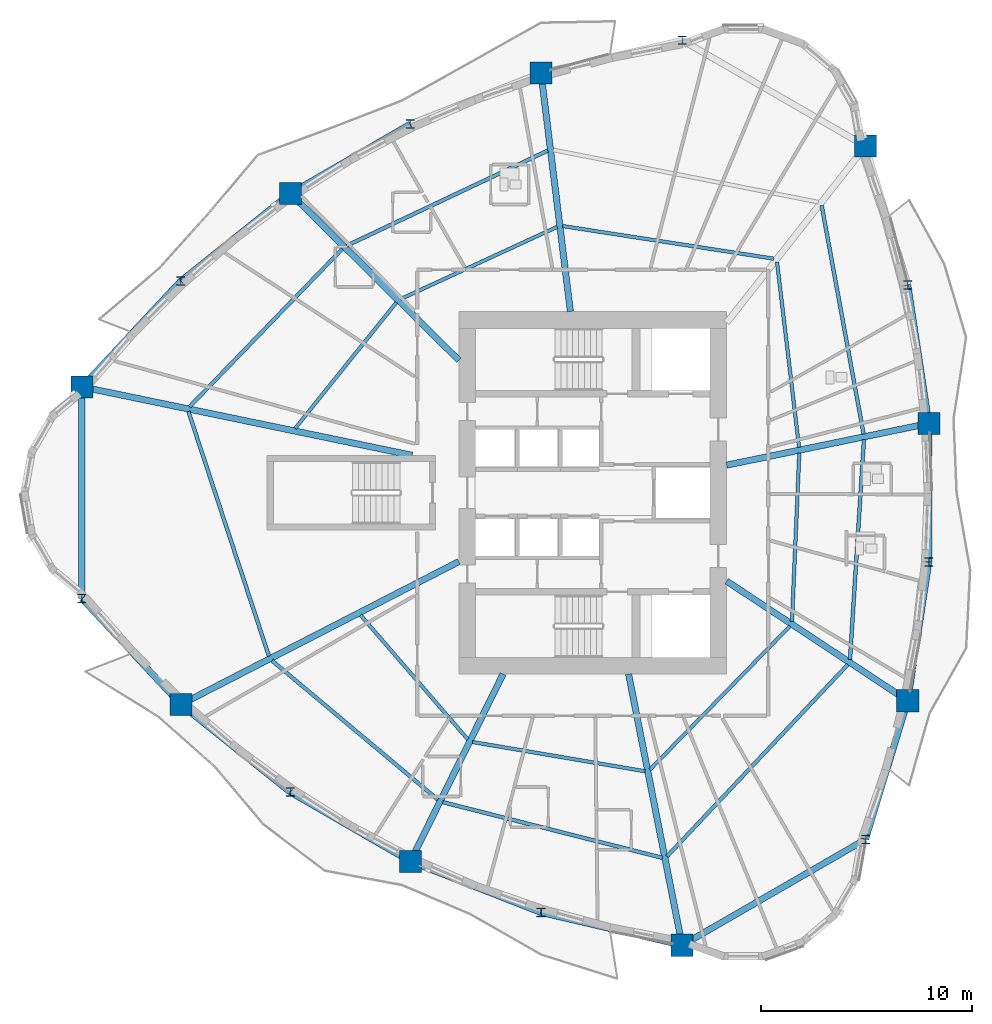
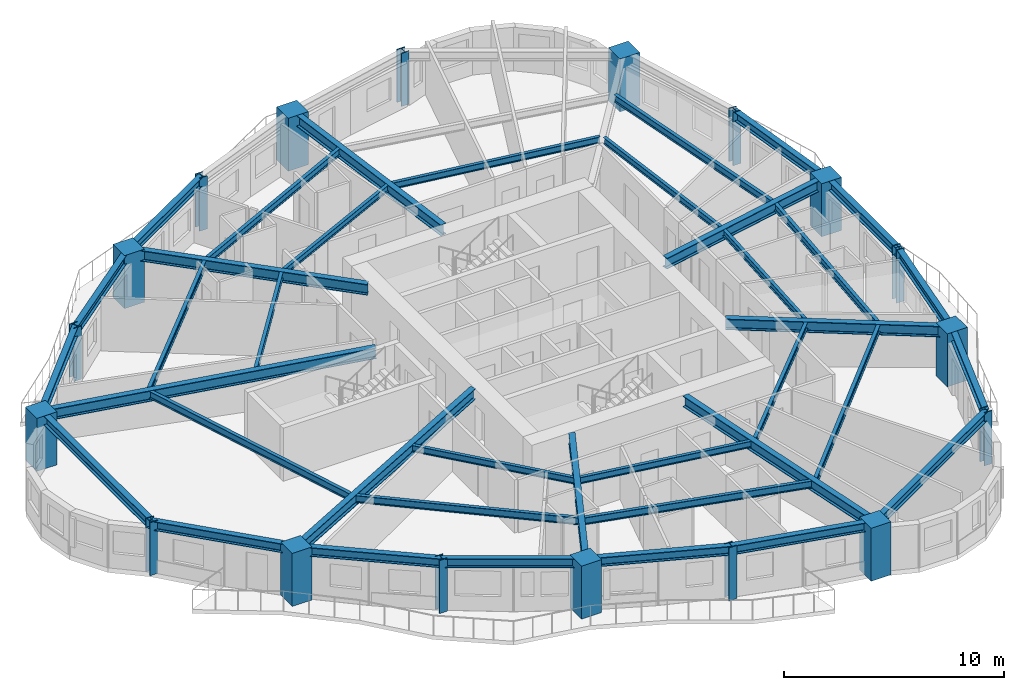
# One storey, part 1 of 13: 38 beams, 18 columns.
"""IFC4 building model written with IfcOpenShell, lengths in metres."""

from ifc_helpers import new_model, si_unit, direction, frame, origin, origin_2d, place, context, subcontext, project, spatial, rectangle, i_section, extrude, source, transform, mapped, material, material_profile, profile_set, type_object, element, save


model = new_model("IFC4")

# Units and contexts
model_context = context("Model", 3, precision=1e-05, world=origin(), true_north=direction((0.0, 1.0)))
body_context = subcontext(model_context, "Body", "Model", "MODEL_VIEW")
ifc_project = project(units=[si_unit("LENGTHUNIT", "METRE"), si_unit("AREAUNIT", "SQUARE_METRE"), si_unit("VOLUMEUNIT", "CUBIC_METRE"), si_unit("PLANEANGLEUNIT", "RADIAN"), si_unit("MASSUNIT", "GRAM", prefix="KILO")], contexts=[model_context])

# Site, building, storey
site_placement = place(None, origin())
site = spatial("IfcSite", under=ifc_project, at=site_placement, CompositionType="ELEMENT")
building_placement = place(site_placement, origin())
building = spatial("IfcBuilding", under=site, at=building_placement, Name="Qafzar Sky-Pleat Residences", CompositionType="ELEMENT")
storey_placement = place(building_placement, frame((0.0, 0.0, 49.39990234375)))
storey = spatial("IfcBuildingStorey", under=building, at=storey_placement, Name="L14", CompositionType="ELEMENT", Elevation=49.39990234375)

# Columns
ifc_material_1 = material(Name="Concrete C60/75", Category="concrete")
ifc_material_profile_1 = material_profile(ifc_material_1, rectangle(XDim=1.050048828125, YDim=1.050048828125, at=origin_2d()), Name="RC 1050x1050")
ifc_profile_set_1 = profile_set([ifc_material_profile_1], Name="Concrete C60/75")
column_type_1 = type_object("IfcColumnType", Name="COL-RC-1050", PredefinedType="COLUMN", material=ifc_profile_set_1)
shared_shape_1 = source(origin(), body_context, "Body", "SweptSolid", [
    extrude(rectangle(XDim=1.050048828125, YDim=1.050048828125, at=origin_2d()), origin(), (0.0, 0.0, 1.0), 2.940185546875),
])
for number, where, z_axis, x_axis, name in (
    (1, (6.1201171875, 31.02294921875, 0.0), (0.0, 0.0, 1.0), (1.0, 0.0, 0.0), "L14 Perimeter Mega Column 1"),
    (2, (10.814697265625, 15.95849609375, 0.0), (0.0, 0.0, 1.0), (1.0, 0.0, 0.0), "L14 Perimeter Mega Column 3"),
    (3, (21.702880859375, 8.518310546875, 0.0), (0.0, 0.0, 1.0), (1.0, 0.0, 0.0), "L14 Perimeter Mega Column 5"),
    (4, (34.590087890625, 4.539794921875, 0.0), (0.0, 0.0, 1.0), (1.0, 0.0, 0.0), "L14 Perimeter Mega Column 7"),
    (5, (45.288818359375, 16.1376953125, 0.0), (0.0, 0.0, 1.0), (1.0, 0.0, 0.0), "L14 Perimeter Mega Column 9"),
    (6, (46.2880859375, 29.287353515625, 0.0), (0.0, 0.0, 1.0), (1.0, 0.0, 0.0), "L14 Perimeter Mega Column 11"),
    (7, (43.2900390625, 42.437255859375, 0.0), (0.0, 0.0, 1.0), (1.0, 0.0, 0.0), "L14 Perimeter Mega Column 13"),
    (8, (27.896484375, 45.90380859375, 0.0), (0.0, 0.0, 1.0), (1.0, 0.0, 0.0), "L14 Perimeter Mega Column 15"),
    (9, (16.0087890625, 40.1943359375, 0.0), (0.0, 0.0, 1.0), (1.0, 0.0, 0.0), "L14 Perimeter Mega Column 17"),
):
    element("IfcColumn", number, at=place(storey_placement, frame(where, z_axis=z_axis, x_axis=x_axis)), inside=storey, type_object=column_type_1, Name=name, PredefinedType="COLUMN", context=body_context, shape_type="MappedRepresentation", body=[
        mapped(shared_shape_1, transform((0.0, 0.0, 0.0), x_axis=(1.0, 0.0, 0.0), y_axis=(0.0, 1.0, 0.0), z_axis=(0.0, 0.0, 1.0), scale=1.0)),
    ])
ifc_material_2 = material(Name="Steel S460", Category="steel")
ifc_material_profile_2 = material_profile(ifc_material_2, i_section(OverallWidth=0.408935546875, OverallDepth=0.425048828125, WebThickness=0.030029296875, FlangeThickness=0.048095703125, FilletRadius=0.014892578125, at=origin_2d()), Name="HD 400x421")
ifc_profile_set_2 = profile_set([ifc_material_profile_2], Name="Steel S460")
column_type_2 = type_object("IfcColumnType", Name="COL-STL-HD421", PredefinedType="PILASTER", material=ifc_profile_set_2)
shared_shape_2 = source(origin(), body_context, "Body", "SweptSolid", [
    extrude(i_section(OverallWidth=0.408935546875, OverallDepth=0.425048828125, WebThickness=0.030029296875, FlangeThickness=0.048095703125, FilletRadius=0.014892578125, at=origin_2d()), origin(), (0.0, 0.0, 1.0), 2.940185546875),
])
for number, where, z_axis, x_axis, name in (
    (10, (6.1201171875, 20.97705078125, 0.0), (0.0, 0.0, 1.0), (1.0, 0.0, 0.0), "L14 Perimeter Mega Column 2"),
    (11, (16.0087890625, 11.8056640625, 0.0), (0.0, 0.0, 1.0), (1.0, 0.0, 0.0), "L14 Perimeter Mega Column 4"),
    (12, (27.896484375, 6.09619140625, 0.0), (0.0, 0.0, 1.0), (1.0, 0.0, 0.0), "L14 Perimeter Mega Column 6"),
    (13, (43.2900390625, 9.562744140625, 0.0), (0.0, 0.0, 1.0), (1.0, 0.0, 0.0), "L14 Perimeter Mega Column 8"),
    (14, (46.2880859375, 22.712646484375, 0.0), (0.0, 0.0, 1.0), (1.0, 0.0, 0.0), "L14 Perimeter Mega Column 10"),
    (15, (45.288818359375, 35.8623046875, 0.0), (0.0, 0.0, 1.0), (1.0, 0.0, 0.0), "L14 Perimeter Mega Column 12"),
    (16, (34.590087890625, 47.460205078125, 0.0), (0.0, 0.0, 1.0), (1.0, 0.0, 0.0), "L14 Perimeter Mega Column 14"),
    (17, (21.702880859375, 43.481689453125, 0.0), (0.0, 0.0, 1.0), (1.0, 0.0, 0.0), "L14 Perimeter Mega Column 16"),
    (18, (10.814697265625, 36.04150390625, 0.0), (0.0, 0.0, 1.0), (1.0, 0.0, 0.0), "L14 Perimeter Mega Column 18"),
):
    element("IfcColumn", number, at=place(storey_placement, frame(where, z_axis=z_axis, x_axis=x_axis)), inside=storey, type_object=column_type_2, Name=name, PredefinedType="PILASTER", context=body_context, shape_type="MappedRepresentation", body=[
        mapped(shared_shape_2, transform((0.0, 0.0, 0.0), x_axis=(1.0, 0.0, 0.0), y_axis=(0.0, 1.0, 0.0), z_axis=(0.0, 0.0, 1.0), scale=1.0)),
    ])

# Beams
ifc_material_3 = material(Name="Steel S355", Category="steel")
ifc_material_profile_3 = material_profile(ifc_material_3, i_section(OverallWidth=0.300048828125, OverallDepth=0.5, WebThickness=0.014404296875, FlangeThickness=0.028076171875, FilletRadius=0.027099609375, at=origin_2d()), Name="HEB 500")
ifc_profile_set_3 = profile_set([ifc_material_profile_3], Name="Steel S355")
beam_type_1 = type_object("IfcBeamType", Name="BM-SPAN-HEB500", PredefinedType="SPANDREL", material=ifc_profile_set_3)
shared_shape_3 = source(origin(), body_context, "Body", "SweptSolid", [
    extrude(i_section(OverallWidth=0.300048828125, OverallDepth=0.5, WebThickness=0.014404296875, FlangeThickness=0.028076171875, FilletRadius=0.027099609375, at=origin_2d()), origin(), (0.0, 0.0, 1.0), 10.0458984375),
])
for number, where, z_axis, x_axis, name in (
    (19, (6.1201171875, 31.02294921875, 2.68798828125), (0.0, -1.0, 0.0), (1.0, 0.0, 0.0), "L14 Perimeter Spandrel Beam 1"),
    (20, (34.590087890625, 4.539794921875, 2.68798828125), (0.866024107753, 0.500002244785, 0.0), (-0.500002244785, 0.866024107753, 0.0), "L14 Perimeter Spandrel Beam 7"),
):
    element("IfcBeam", number, at=place(storey_placement, frame(where, z_axis=z_axis, x_axis=x_axis)), inside=storey, type_object=beam_type_1, Name=name, PredefinedType="SPANDREL", context=body_context, shape_type="MappedRepresentation", body=[
        mapped(shared_shape_3, transform((0.0, 0.0, 0.0), x_axis=(1.0, 0.0, 0.0), y_axis=(0.0, 1.0, 0.0), z_axis=(0.0, 0.0, 1.0), scale=1.0)),
    ])
shared_shape_4 = source(origin(), body_context, "Body", "SweptSolid", [
    extrude(i_section(OverallWidth=0.300048828125, OverallDepth=0.5, WebThickness=0.014404296875, FlangeThickness=0.028076171875, FilletRadius=0.027099609375, at=origin_2d()), origin(), (0.0, 0.0, 1.0), 6.8720703125),
])
for number, where, z_axis, x_axis, name in (
    (21, (6.1201171875, 20.97705078125, 2.68798828125), (0.683141849409, -0.73028570682, 0.0), (0.73028570682, 0.683141849409, 0.0), "L14 Perimeter Spandrel Beam 2"),
    (22, (27.896484375, 6.09619140625, 2.68798828125), (0.974016228914, -0.226478223705, 0.0), (0.226478223705, 0.974016228914, 0.0), "L14 Perimeter Spandrel Beam 6"),
    (23, (43.2900390625, 9.562744140625, 2.68798828125), (0.290856244324, 0.956766766322, 0.0), (-0.956766766322, 0.290856244324, 0.0), "L14 Perimeter Spandrel Beam 8"),
    (24, (10.814697265625, 36.04150390625, 2.68798828125), (-0.683141849409, -0.73028570682, 0.0), (0.73028570682, -0.683141849409, 0.0), "L14 Perimeter Spandrel Beam 18"),
):
    element("IfcBeam", number, at=place(storey_placement, frame(where, z_axis=z_axis, x_axis=x_axis)), inside=storey, type_object=beam_type_1, Name=name, PredefinedType="SPANDREL", context=body_context, shape_type="MappedRepresentation", body=[
        mapped(shared_shape_4, transform((0.0, 0.0, 0.0), x_axis=(1.0, 0.0, 0.0), y_axis=(0.0, 1.0, 0.0), z_axis=(0.0, 0.0, 1.0), scale=1.0)),
    ])
shared_shape_5 = source(origin(), body_context, "Body", "SweptSolid", [
    extrude(i_section(OverallWidth=0.300048828125, OverallDepth=0.5, WebThickness=0.014404296875, FlangeThickness=0.028076171875, FilletRadius=0.027099609375, at=origin_2d()), origin(), (0.0, 0.0, 1.0), 6.650146484375),
])
for number, where, z_axis, x_axis, name in (
    (25, (10.814697265625, 15.95849609375, 2.68798828125), (0.781047860297, -0.62447116821, 0.0), (0.62447116821, 0.781047860297, 0.0), "L14 Perimeter Spandrel Beam 3"),
    (26, (16.0087890625, 40.1943359375, 2.68798828125), (-0.781047860297, -0.62447116821, 0.0), (0.62447116821, -0.781047860297, 0.0), "L14 Perimeter Spandrel Beam 17"),
):
    element("IfcBeam", number, at=place(storey_placement, frame(where, z_axis=z_axis, x_axis=x_axis)), inside=storey, type_object=beam_type_1, Name=name, PredefinedType="SPANDREL", context=body_context, shape_type="MappedRepresentation", body=[
        mapped(shared_shape_5, transform((0.0, 0.0, 0.0), x_axis=(1.0, 0.0, 0.0), y_axis=(0.0, 1.0, 0.0), z_axis=(0.0, 0.0, 1.0), scale=1.0)),
    ])
shared_shape_6 = source(origin(), body_context, "Body", "SweptSolid", [
    extrude(i_section(OverallWidth=0.300048828125, OverallDepth=0.5, WebThickness=0.014404296875, FlangeThickness=0.028076171875, FilletRadius=0.027099609375, at=origin_2d()), origin(), (0.0, 0.0, 1.0), 6.574951171875),
])
for number, where, z_axis, x_axis, name in (
    (27, (16.0087890625, 11.8056640625, 2.68798828125), (0.866034091436, -0.499984952244, 0.0), (0.499984952244, 0.866034091436, 0.0), "L14 Perimeter Spandrel Beam 4"),
    (28, (21.702880859375, 43.481689453125, 2.68798828125), (-0.866034091436, -0.499984952244, 0.0), (0.499984952244, -0.866034091436, 0.0), "L14 Perimeter Spandrel Beam 16"),
):
    element("IfcBeam", number, at=place(storey_placement, frame(where, z_axis=z_axis, x_axis=x_axis)), inside=storey, type_object=beam_type_1, Name=name, PredefinedType="SPANDREL", context=body_context, shape_type="MappedRepresentation", body=[
        mapped(shared_shape_6, transform((0.0, 0.0, 0.0), x_axis=(1.0, 0.0, 0.0), y_axis=(0.0, 1.0, 0.0), z_axis=(0.0, 0.0, 1.0), scale=1.0)),
    ])
shared_shape_7 = source(origin(), body_context, "Body", "SweptSolid", [
    extrude(i_section(OverallWidth=0.300048828125, OverallDepth=0.5, WebThickness=0.014404296875, FlangeThickness=0.028076171875, FilletRadius=0.027099609375, at=origin_2d()), origin(), (0.0, 0.0, 1.0), 6.650390625),
])
for number, where, z_axis, x_axis, name in (
    (29, (21.702880859375, 8.518310546875, 2.68798828125), (0.931317505809, -0.364208324141, 0.0), (0.364208324141, 0.931317505809, 0.0), "L14 Perimeter Spandrel Beam 5"),
    (30, (45.288818359375, 16.1376953125, 2.68798828125), (0.150255576809, 0.988647187645, 0.0), (-0.988647187645, 0.150255576809, 0.0), "L14 Perimeter Spandrel Beam 9"),
    (31, (46.2880859375, 29.287353515625, 2.68798828125), (-0.150255576809, 0.988647187645, 0.0), (-0.988647187645, -0.150255576809, 0.0), "L14 Perimeter Spandrel Beam 11"),
):
    element("IfcBeam", number, at=place(storey_placement, frame(where, z_axis=z_axis, x_axis=x_axis)), inside=storey, type_object=beam_type_1, Name=name, PredefinedType="SPANDREL", context=body_context, shape_type="MappedRepresentation", body=[
        mapped(shared_shape_7, transform((0.0, 0.0, 0.0), x_axis=(1.0, 0.0, 0.0), y_axis=(0.0, 1.0, 0.0), z_axis=(0.0, 0.0, 1.0), scale=1.0)),
    ])
shared_shape_8 = source(origin(), body_context, "Body", "SweptSolid", [
    extrude(i_section(OverallWidth=0.300048828125, OverallDepth=0.5, WebThickness=0.014404296875, FlangeThickness=0.028076171875, FilletRadius=0.027099609375, at=origin_2d()), origin(), (0.0, 0.0, 1.0), 6.57470703125),
])
beam_1_placement = place(storey_placement, frame((46.2880859375, 22.712646484375, 2.68798828125), z_axis=(0.0, 1.0, 0.0), x_axis=(-1.0, 0.0, 0.0)))
element("IfcBeam", 32, at=beam_1_placement, inside=storey, type_object=beam_type_1, Name="L14 Perimeter Spandrel Beam 10", PredefinedType="SPANDREL", context=body_context, shape_type="MappedRepresentation", body=[
    mapped(shared_shape_8, transform((0.0, 0.0, 0.0), x_axis=(1.0, 0.0, 0.0), y_axis=(0.0, 1.0, 0.0), z_axis=(0.0, 0.0, 1.0), scale=1.0)),
])
ifc_material_profile_4 = material_profile(ifc_material_3, i_section(OverallWidth=0.300048828125, OverallDepth=0.60009765625, WebThickness=0.015380859375, FlangeThickness=0.030029296875, FilletRadius=0.027099609375, at=origin_2d()), Name="HEB 600")
ifc_profile_set_4 = profile_set([ifc_material_profile_4], Name="Steel S355")
beam_type_2 = type_object("IfcBeamType", Name="BM-GIRD-HEB600", PredefinedType="BEAM", material=ifc_profile_set_4)
shared_shape_9 = source(origin(), body_context, "Body", "SweptSolid", [
    extrude(i_section(OverallWidth=0.300048828125, OverallDepth=0.60009765625, WebThickness=0.015380859375, FlangeThickness=0.030029296875, FilletRadius=0.027099609375, at=origin_2d()), origin(), (0.0, 0.0, 1.0), 16.000732421875),
])
beam_2_placement = place(storey_placement, frame((6.1201171875, 31.02294921875, 2.63818359375), z_axis=(0.97917975369, -0.202995098375, 0.0), x_axis=(0.202995098375, 0.97917975369, 0.0)))
element("IfcBeam", 33, at=beam_2_placement, inside=storey, type_object=beam_type_2, Name="L14 Radial Floor Girder 1", PredefinedType="BEAM", context=body_context, shape_type="MappedRepresentation", body=[
    mapped(shared_shape_9, transform((0.0, 0.0, 0.0), x_axis=(1.0, 0.0, 0.0), y_axis=(0.0, 1.0, 0.0), z_axis=(0.0, 0.0, 1.0), scale=1.0)),
])
shared_shape_10 = source(origin(), body_context, "Body", "SweptSolid", [
    extrude(i_section(OverallWidth=0.300048828125, OverallDepth=0.60009765625, WebThickness=0.015380859375, FlangeThickness=0.030029296875, FilletRadius=0.027099609375, at=origin_2d()), origin(), (0.0, 0.0, 1.0), 14.8251953125),
])
beam_3_placement = place(storey_placement, frame((10.814697265625, 15.95849609375, 2.63818359375), z_axis=(0.889381743059, 0.457165303925, 0.0), x_axis=(-0.457165303925, 0.889381743059, 0.0)))
element("IfcBeam", 34, at=beam_3_placement, inside=storey, type_object=beam_type_2, Name="L14 Radial Floor Girder 3", PredefinedType="BEAM", context=body_context, shape_type="MappedRepresentation", body=[
    mapped(shared_shape_10, transform((0.0, 0.0, 0.0), x_axis=(1.0, 0.0, 0.0), y_axis=(0.0, 1.0, 0.0), z_axis=(0.0, 0.0, 1.0), scale=1.0)),
])
shared_shape_11 = source(origin(), body_context, "Body", "SweptSolid", [
    extrude(i_section(OverallWidth=0.300048828125, OverallDepth=0.60009765625, WebThickness=0.015380859375, FlangeThickness=0.030029296875, FilletRadius=0.027099609375, at=origin_2d()), origin(), (0.0, 0.0, 1.0), 9.90869140625),
])
beam_4_placement = place(storey_placement, frame((21.702880859375, 8.518310546875, 2.63818359375), z_axis=(0.443375685827, 0.896335875226, 0.0), x_axis=(-0.896335875226, 0.443375685827, 0.0)))
element("IfcBeam", 35, at=beam_4_placement, inside=storey, type_object=beam_type_2, Name="L14 Radial Floor Girder 5", PredefinedType="BEAM", context=body_context, shape_type="MappedRepresentation", body=[
    mapped(shared_shape_11, transform((0.0, 0.0, 0.0), x_axis=(1.0, 0.0, 0.0), y_axis=(0.0, 1.0, 0.0), z_axis=(0.0, 0.0, 1.0), scale=1.0)),
])
shared_shape_12 = source(origin(), body_context, "Body", "SweptSolid", [
    extrude(i_section(OverallWidth=0.300048828125, OverallDepth=0.60009765625, WebThickness=0.015380859375, FlangeThickness=0.030029296875, FilletRadius=0.027099609375, at=origin_2d()), origin(), (0.0, 0.0, 1.0), 13.108642578125),
])
beam_5_placement = place(storey_placement, frame((34.590087890625, 4.539794921875, 2.63818359375), z_axis=(-0.193823374402, 0.981036441492, 0.0), x_axis=(-0.981036441492, -0.193823374402, 0.0)))
element("IfcBeam", 36, at=beam_5_placement, inside=storey, type_object=beam_type_2, Name="L14 Radial Floor Girder 7", PredefinedType="BEAM", context=body_context, shape_type="MappedRepresentation", body=[
    mapped(shared_shape_12, transform((0.0, 0.0, 0.0), x_axis=(1.0, 0.0, 0.0), y_axis=(0.0, 1.0, 0.0), z_axis=(0.0, 0.0, 1.0), scale=1.0)),
])
shared_shape_13 = source(origin(), body_context, "Body", "SweptSolid", [
    extrude(i_section(OverallWidth=0.300048828125, OverallDepth=0.60009765625, WebThickness=0.015380859375, FlangeThickness=0.030029296875, FilletRadius=0.027099609375, at=origin_2d()), origin(), (0.0, 0.0, 1.0), 10.291748046875),
])
beam_6_placement = place(storey_placement, frame((45.288818359375, 16.1376953125, 2.63818359375), z_axis=(-0.834541783503, 0.550944653833, 0.0), x_axis=(-0.550944653833, -0.834541783503, 0.0)))
element("IfcBeam", 37, at=beam_6_placement, inside=storey, type_object=beam_type_2, Name="L14 Radial Floor Girder 9", PredefinedType="BEAM", context=body_context, shape_type="MappedRepresentation", body=[
    mapped(shared_shape_13, transform((0.0, 0.0, 0.0), x_axis=(1.0, 0.0, 0.0), y_axis=(0.0, 1.0, 0.0), z_axis=(0.0, 0.0, 1.0), scale=1.0)),
])
shared_shape_14 = source(origin(), body_context, "Body", "SweptSolid", [
    extrude(i_section(OverallWidth=0.300048828125, OverallDepth=0.60009765625, WebThickness=0.015380859375, FlangeThickness=0.030029296875, FilletRadius=0.027099609375, at=origin_2d()), origin(), (0.0, 0.0, 1.0), 9.7900390625),
])
beam_7_placement = place(storey_placement, frame((46.2880859375, 29.287353515625, 2.63818359375), z_axis=(-0.979386142627, -0.20199698916, 0.0), x_axis=(0.20199698916, -0.979386142627, 0.0)))
element("IfcBeam", 38, at=beam_7_placement, inside=storey, type_object=beam_type_2, Name="L14 Radial Floor Girder 11", PredefinedType="BEAM", context=body_context, shape_type="MappedRepresentation", body=[
    mapped(shared_shape_14, transform((0.0, 0.0, 0.0), x_axis=(1.0, 0.0, 0.0), y_axis=(0.0, 1.0, 0.0), z_axis=(0.0, 0.0, 1.0), scale=1.0)),
])
shared_shape_15 = source(origin(), body_context, "Body", "SweptSolid", [
    extrude(i_section(OverallWidth=0.300048828125, OverallDepth=0.60009765625, WebThickness=0.015380859375, FlangeThickness=0.030029296875, FilletRadius=0.027099609375, at=origin_2d()), origin(), (0.0, 0.0, 1.0), 11.38916015625),
])
beam_8_placement = place(storey_placement, frame((27.896484375, 45.90380859375, 2.63818359375), z_axis=(0.122335498992, -0.992488803809, 0.0), x_axis=(0.992488803809, 0.122335498992, 0.0)))
element("IfcBeam", 39, at=beam_8_placement, inside=storey, type_object=beam_type_2, Name="L14 Radial Floor Girder 15", PredefinedType="BEAM", context=body_context, shape_type="MappedRepresentation", body=[
    mapped(shared_shape_15, transform((0.0, 0.0, 0.0), x_axis=(1.0, 0.0, 0.0), y_axis=(0.0, 1.0, 0.0), z_axis=(0.0, 0.0, 1.0), scale=1.0)),
])
shared_shape_16 = source(origin(), body_context, "Body", "SweptSolid", [
    extrude(i_section(OverallWidth=0.300048828125, OverallDepth=0.60009765625, WebThickness=0.015380859375, FlangeThickness=0.030029296875, FilletRadius=0.027099609375, at=origin_2d()), origin(), (0.0, 0.0, 1.0), 11.24365234375),
])
beam_9_placement = place(storey_placement, frame((16.0087890625, 40.1943359375, 2.63818359375), z_axis=(0.710734480611, -0.703460374201, 0.0), x_axis=(0.703460374201, 0.710734480611, 0.0)))
element("IfcBeam", 40, at=beam_9_placement, inside=storey, type_object=beam_type_2, Name="L14 Radial Floor Girder 17", PredefinedType="BEAM", context=body_context, shape_type="MappedRepresentation", body=[
    mapped(shared_shape_16, transform((0.0, 0.0, 0.0), x_axis=(1.0, 0.0, 0.0), y_axis=(0.0, 1.0, 0.0), z_axis=(0.0, 0.0, 1.0), scale=1.0)),
])
ifc_material_profile_5 = material_profile(ifc_material_3, i_section(OverallWidth=0.179931640625, OverallDepth=0.39990234375, WebThickness=0.008544921875, FlangeThickness=0.013427734375, FilletRadius=0.02099609375, at=origin_2d()), Name="IPE 400")
ifc_profile_set_5 = profile_set([ifc_material_profile_5], Name="Steel S355")
beam_type_3 = type_object("IfcBeamType", Name="BM-JST-IPE400", PredefinedType="JOIST", material=ifc_profile_set_5)
shared_shape_17 = source(origin(), body_context, "Body", "SweptSolid", [
    extrude(i_section(OverallWidth=0.179931640625, OverallDepth=0.39990234375, WebThickness=0.008544921875, FlangeThickness=0.013427734375, FilletRadius=0.02099609375, at=origin_2d()), origin(), (0.0, 0.0, 1.0), 12.211181640625),
])
beam_10_placement = place(storey_placement, frame((11.17578125, 29.855224609375, 2.738037109375), z_axis=(0.312494579361, -0.94991954284, 0.0), x_axis=(0.94991954284, 0.312494579361, 0.0)))
element("IfcBeam", 41, at=beam_10_placement, inside=storey, type_object=beam_type_3, Name="L14 Outer Secondary Floor Joist 1", PredefinedType="JOIST", context=body_context, shape_type="MappedRepresentation", body=[
    mapped(shared_shape_17, transform((0.0, 0.0, 0.0), x_axis=(1.0, 0.0, 0.0), y_axis=(0.0, 1.0, 0.0), z_axis=(0.0, 0.0, 1.0), scale=1.0)),
])
shared_shape_18 = source(origin(), body_context, "Body", "SweptSolid", [
    extrude(i_section(OverallWidth=0.179931640625, OverallDepth=0.39990234375, WebThickness=0.008544921875, FlangeThickness=0.013427734375, FilletRadius=0.02099609375, at=origin_2d()), origin(), (0.0, 0.0, 1.0), 10.265380859375),
])
beam_11_placement = place(storey_placement, frame((15.137451171875, 18.040771484375, 2.738037109375), z_axis=(0.766450230396, -0.642303701006, 0.0), x_axis=(0.642303701006, 0.766450230396, 0.0)))
element("IfcBeam", 42, at=beam_11_placement, inside=storey, type_object=beam_type_3, Name="L14 Outer Secondary Floor Joist 2", PredefinedType="JOIST", context=body_context, shape_type="MappedRepresentation", body=[
    mapped(shared_shape_18, transform((0.0, 0.0, 0.0), x_axis=(1.0, 0.0, 0.0), y_axis=(0.0, 1.0, 0.0), z_axis=(0.0, 0.0, 1.0), scale=1.0)),
])
shared_shape_19 = source(origin(), body_context, "Body", "SweptSolid", [
    extrude(i_section(OverallWidth=0.179931640625, OverallDepth=0.39990234375, WebThickness=0.008544921875, FlangeThickness=0.013427734375, FilletRadius=0.02099609375, at=origin_2d()), origin(), (0.0, 0.0, 1.0), 10.73583984375),
])
beam_12_placement = place(storey_placement, frame((23.239501953125, 11.327392578125, 2.738037109375), z_axis=(0.969314247792, -0.245824915393, 0.0), x_axis=(0.245824915393, 0.969314247792, 0.0)))
element("IfcBeam", 43, at=beam_12_placement, inside=storey, type_object=beam_type_3, Name="L14 Outer Secondary Floor Joist 3", PredefinedType="JOIST", context=body_context, shape_type="MappedRepresentation", body=[
    mapped(shared_shape_19, transform((0.0, 0.0, 0.0), x_axis=(1.0, 0.0, 0.0), y_axis=(0.0, 1.0, 0.0), z_axis=(0.0, 0.0, 1.0), scale=1.0)),
])
shared_shape_20 = source(origin(), body_context, "Body", "SweptSolid", [
    extrude(i_section(OverallWidth=0.179931640625, OverallDepth=0.39990234375, WebThickness=0.008544921875, FlangeThickness=0.013427734375, FilletRadius=0.02099609375, at=origin_2d()), origin(), (0.0, 0.0, 1.0), 12.50634765625),
])
beam_13_placement = place(storey_placement, frame((33.869384765625, 8.75341796875, 2.738037109375), z_axis=(0.685920444829, 0.727676537594, 0.0), x_axis=(-0.727676537594, 0.685920444829, 0.0)))
element("IfcBeam", 44, at=beam_13_placement, inside=storey, type_object=beam_type_3, Name="L14 Outer Secondary Floor Joist 4", PredefinedType="JOIST", context=body_context, shape_type="MappedRepresentation", body=[
    mapped(shared_shape_20, transform((0.0, 0.0, 0.0), x_axis=(1.0, 0.0, 0.0), y_axis=(0.0, 1.0, 0.0), z_axis=(0.0, 0.0, 1.0), scale=1.0)),
])
shared_shape_21 = source(origin(), body_context, "Body", "SweptSolid", [
    extrude(i_section(OverallWidth=0.179931640625, OverallDepth=0.39990234375, WebThickness=0.008544921875, FlangeThickness=0.013427734375, FilletRadius=0.02099609375, at=origin_2d()), origin(), (0.0, 0.0, 1.0), 10.453857421875),
])
beam_14_placement = place(storey_placement, frame((42.548828125, 18.0869140625, 2.738037109375), z_axis=(0.063382933726, 0.997989280359, 0.0), x_axis=(-0.997989280359, 0.063382933726, 0.0)))
element("IfcBeam", 45, at=beam_14_placement, inside=storey, type_object=beam_type_3, Name="L14 Outer Secondary Floor Joist 5", PredefinedType="JOIST", context=body_context, shape_type="MappedRepresentation", body=[
    mapped(shared_shape_21, transform((0.0, 0.0, 0.0), x_axis=(1.0, 0.0, 0.0), y_axis=(0.0, 1.0, 0.0), z_axis=(0.0, 0.0, 1.0), scale=1.0)),
])
shared_shape_22 = source(origin(), body_context, "Body", "SweptSolid", [
    extrude(i_section(OverallWidth=0.179931640625, OverallDepth=0.39990234375, WebThickness=0.008544921875, FlangeThickness=0.013427734375, FilletRadius=0.02099609375, at=origin_2d()), origin(), (0.0, 0.0, 1.0), 11.01953125),
])
beam_15_placement = place(storey_placement, frame((43.195556640625, 28.787353515625, 2.738037109375), z_axis=(-0.180587223378, 0.983558973703, 0.0), x_axis=(-0.983558973703, -0.180587223378, 0.0)))
element("IfcBeam", 46, at=beam_15_placement, inside=storey, type_object=beam_type_3, Name="L14 Outer Secondary Floor Joist 6", PredefinedType="JOIST", context=body_context, shape_type="MappedRepresentation", body=[
    mapped(shared_shape_22, transform((0.0, 0.0, 0.0), x_axis=(1.0, 0.0, 0.0), y_axis=(0.0, 1.0, 0.0), z_axis=(0.0, 0.0, 1.0), scale=1.0)),
])
shared_shape_23 = source(origin(), body_context, "Body", "SweptSolid", [
    extrude(i_section(OverallWidth=0.179931640625, OverallDepth=0.39990234375, WebThickness=0.008544921875, FlangeThickness=0.013427734375, FilletRadius=0.02099609375, at=origin_2d()), origin(), (0.0, 0.0, 1.0), 10.544677734375),
])
beam_16_placement = place(storey_placement, frame((28.220458984375, 42.228759765625, 2.738037109375), z_axis=(-0.9040153296, -0.427500039589, 0.0), x_axis=(0.427500039589, -0.9040153296, 0.0)))
element("IfcBeam", 47, at=beam_16_placement, inside=storey, type_object=beam_type_3, Name="L14 Outer Secondary Floor Joist 8", PredefinedType="JOIST", context=body_context, shape_type="MappedRepresentation", body=[
    mapped(shared_shape_23, transform((0.0, 0.0, 0.0), x_axis=(1.0, 0.0, 0.0), y_axis=(0.0, 1.0, 0.0), z_axis=(0.0, 0.0, 1.0), scale=1.0)),
])
shared_shape_24 = source(origin(), body_context, "Body", "SweptSolid", [
    extrude(i_section(OverallWidth=0.179931640625, OverallDepth=0.39990234375, WebThickness=0.008544921875, FlangeThickness=0.013427734375, FilletRadius=0.02099609375, at=origin_2d()), origin(), (0.0, 0.0, 1.0), 10.41748046875),
])
beam_17_placement = place(storey_placement, frame((18.47216796875, 37.56640625, 2.738037109375), z_axis=(-0.695434700563, -0.718589296645, 0.0), x_axis=(0.718589296645, -0.695434700563, 0.0)))
element("IfcBeam", 48, at=beam_17_placement, inside=storey, type_object=beam_type_3, Name="L14 Outer Secondary Floor Joist 9", PredefinedType="JOIST", context=body_context, shape_type="MappedRepresentation", body=[
    mapped(shared_shape_24, transform((0.0, 0.0, 0.0), x_axis=(1.0, 0.0, 0.0), y_axis=(0.0, 1.0, 0.0), z_axis=(0.0, 0.0, 1.0), scale=1.0)),
])
ifc_material_profile_6 = material_profile(ifc_material_3, i_section(OverallWidth=0.169921875, OverallDepth=0.360107421875, WebThickness=0.008056640625, FlangeThickness=0.0126953125, FilletRadius=0.01806640625, at=origin_2d()), Name="IPE 360")
ifc_profile_set_6 = profile_set([ifc_material_profile_6], Name="Steel S355")
beam_type_4 = type_object("IfcBeamType", Name="BM-JST-IPE360", PredefinedType="JOIST", material=ifc_profile_set_6)
shared_shape_25 = source(origin(), body_context, "Body", "SweptSolid", [
    extrude(i_section(OverallWidth=0.169921875, OverallDepth=0.360107421875, WebThickness=0.008056640625, FlangeThickness=0.0126953125, FilletRadius=0.01806640625, at=origin_2d()), origin(), (0.0, 0.0, 1.0), 7.78076171875),
])
beam_18_placement = place(storey_placement, frame((19.341552734375, 20.194091796875, 2.758056640625), z_axis=(0.653503041025, -0.756923890078, 0.0), x_axis=(0.756923890078, 0.653503041025, 0.0)))
element("IfcBeam", 49, at=beam_18_placement, inside=storey, type_object=beam_type_4, Name="L14 Inner Secondary Floor Joist 2", PredefinedType="JOIST", context=body_context, shape_type="MappedRepresentation", body=[
    mapped(shared_shape_25, transform((0.0, 0.0, 0.0), x_axis=(1.0, 0.0, 0.0), y_axis=(0.0, 1.0, 0.0), z_axis=(0.0, 0.0, 1.0), scale=1.0)),
])
shared_shape_26 = source(origin(), body_context, "Body", "SweptSolid", [
    extrude(i_section(OverallWidth=0.169921875, OverallDepth=0.360107421875, WebThickness=0.008056640625, FlangeThickness=0.0126953125, FilletRadius=0.01806640625, at=origin_2d()), origin(), (0.0, 0.0, 1.0), 8.2998046875),
])
beam_19_placement = place(storey_placement, frame((24.647705078125, 14.179931640625, 2.758056640625), z_axis=(0.985938639777, -0.167107745467, 0.0), x_axis=(0.167107745467, 0.985938639777, 0.0)))
element("IfcBeam", 50, at=beam_19_placement, inside=storey, type_object=beam_type_4, Name="L14 Inner Secondary Floor Joist 3", PredefinedType="JOIST", context=body_context, shape_type="MappedRepresentation", body=[
    mapped(shared_shape_26, transform((0.0, 0.0, 0.0), x_axis=(1.0, 0.0, 0.0), y_axis=(0.0, 1.0, 0.0), z_axis=(0.0, 0.0, 1.0), scale=1.0)),
])
shared_shape_27 = source(origin(), body_context, "Body", "SweptSolid", [
    extrude(i_section(OverallWidth=0.169921875, OverallDepth=0.360107421875, WebThickness=0.008056640625, FlangeThickness=0.0126953125, FilletRadius=0.01806640625, at=origin_2d()), origin(), (0.0, 0.0, 1.0), 9.506103515625),
])
beam_20_placement = place(storey_placement, frame((33.05810546875, 12.866943359375, 2.758056640625), z_axis=(0.698463766196, 0.715645420101, 0.0), x_axis=(-0.715645420101, 0.698463766196, 0.0)))
element("IfcBeam", 51, at=beam_20_placement, inside=storey, type_object=beam_type_4, Name="L14 Inner Secondary Floor Joist 4", PredefinedType="JOIST", context=body_context, shape_type="MappedRepresentation", body=[
    mapped(shared_shape_27, transform((0.0, 0.0, 0.0), x_axis=(1.0, 0.0, 0.0), y_axis=(0.0, 1.0, 0.0), z_axis=(0.0, 0.0, 1.0), scale=1.0)),
])
shared_shape_28 = source(origin(), body_context, "Body", "SweptSolid", [
    extrude(i_section(OverallWidth=0.169921875, OverallDepth=0.360107421875, WebThickness=0.008056640625, FlangeThickness=0.0126953125, FilletRadius=0.01806640625, at=origin_2d()), origin(), (0.0, 0.0, 1.0), 7.992919921875),
])
beam_21_placement = place(storey_placement, frame((39.7978515625, 19.901611328125, 2.758056640625), z_axis=(0.043526033927, 0.999052293111, 0.0), x_axis=(-0.999052293111, 0.043526033927, 0.0)))
element("IfcBeam", 52, at=beam_21_placement, inside=storey, type_object=beam_type_4, Name="L14 Inner Secondary Floor Joist 5", PredefinedType="JOIST", context=body_context, shape_type="MappedRepresentation", body=[
    mapped(shared_shape_28, transform((0.0, 0.0, 0.0), x_axis=(1.0, 0.0, 0.0), y_axis=(0.0, 1.0, 0.0), z_axis=(0.0, 0.0, 1.0), scale=1.0)),
])
shared_shape_29 = source(origin(), body_context, "Body", "SweptSolid", [
    extrude(i_section(OverallWidth=0.169921875, OverallDepth=0.360107421875, WebThickness=0.008056640625, FlangeThickness=0.0126953125, FilletRadius=0.01806640625, at=origin_2d()), origin(), (0.0, 0.0, 1.0), 8.852294921875),
])
beam_22_placement = place(storey_placement, frame((40.1357421875, 28.15576171875, 2.758056640625), z_axis=(-0.118316486076, 0.992975935823, 0.0), x_axis=(-0.992975935823, -0.118316486076, 0.0)))
element("IfcBeam", 53, at=beam_22_placement, inside=storey, type_object=beam_type_4, Name="L14 Inner Secondary Floor Joist 6", PredefinedType="JOIST", context=body_context, shape_type="MappedRepresentation", body=[
    mapped(shared_shape_29, transform((0.0, 0.0, 0.0), x_axis=(1.0, 0.0, 0.0), y_axis=(0.0, 1.0, 0.0), z_axis=(0.0, 0.0, 1.0), scale=1.0)),
])
shared_shape_30 = source(origin(), body_context, "Body", "SweptSolid", [
    extrude(i_section(OverallWidth=0.169921875, OverallDepth=0.360107421875, WebThickness=0.008056640625, FlangeThickness=0.0126953125, FilletRadius=0.01806640625, at=origin_2d()), origin(), (0.0, 0.0, 1.0), 10.13623046875),
])
beam_23_placement = place(storey_placement, frame((38.93896484375, 37.100341796875, 2.758056640625), z_axis=(-0.988264529039, 0.152752154302, 0.0), x_axis=(-0.152752154302, -0.988264529039, 0.0)))
element("IfcBeam", 54, at=beam_23_placement, inside=storey, type_object=beam_type_4, Name="L14 Inner Secondary Floor Joist 7", PredefinedType="JOIST", context=body_context, shape_type="MappedRepresentation", body=[
    mapped(shared_shape_30, transform((0.0, 0.0, 0.0), x_axis=(1.0, 0.0, 0.0), y_axis=(0.0, 1.0, 0.0), z_axis=(0.0, 0.0, 1.0), scale=1.0)),
])
shared_shape_31 = source(origin(), body_context, "Body", "SweptSolid", [
    extrude(i_section(OverallWidth=0.169921875, OverallDepth=0.360107421875, WebThickness=0.008056640625, FlangeThickness=0.0126953125, FilletRadius=0.01806640625, at=origin_2d()), origin(), (0.0, 0.0, 1.0), 8.171875),
])
beam_24_placement = place(storey_placement, frame((28.665771484375, 38.61279296875, 2.758056640625), z_axis=(-0.907994358233, -0.41898239273, 0.0), x_axis=(0.41898239273, -0.907994358233, 0.0)))
element("IfcBeam", 55, at=beam_24_placement, inside=storey, type_object=beam_type_4, Name="L14 Inner Secondary Floor Joist 8", PredefinedType="JOIST", context=body_context, shape_type="MappedRepresentation", body=[
    mapped(shared_shape_31, transform((0.0, 0.0, 0.0), x_axis=(1.0, 0.0, 0.0), y_axis=(0.0, 1.0, 0.0), z_axis=(0.0, 0.0, 1.0), scale=1.0)),
])
shared_shape_32 = source(origin(), body_context, "Body", "SweptSolid", [
    extrude(i_section(OverallWidth=0.169921875, OverallDepth=0.360107421875, WebThickness=0.008056640625, FlangeThickness=0.0126953125, FilletRadius=0.01806640625, at=origin_2d()), origin(), (0.0, 0.0, 1.0), 7.670654296875),
])
beam_25_placement = place(storey_placement, frame((21.03857421875, 35.027099609375, 2.758056640625), z_axis=(-0.626633862879, -0.77931380194, 0.0), x_axis=(0.77931380194, -0.626633862879, 0.0)))
element("IfcBeam", 56, at=beam_25_placement, inside=storey, type_object=beam_type_4, Name="L14 Inner Secondary Floor Joist 9", PredefinedType="JOIST", context=body_context, shape_type="MappedRepresentation", body=[
    mapped(shared_shape_32, transform((0.0, 0.0, 0.0), x_axis=(1.0, 0.0, 0.0), y_axis=(0.0, 1.0, 0.0), z_axis=(0.0, 0.0, 1.0), scale=1.0)),
])

save(model, "model.ifc")
